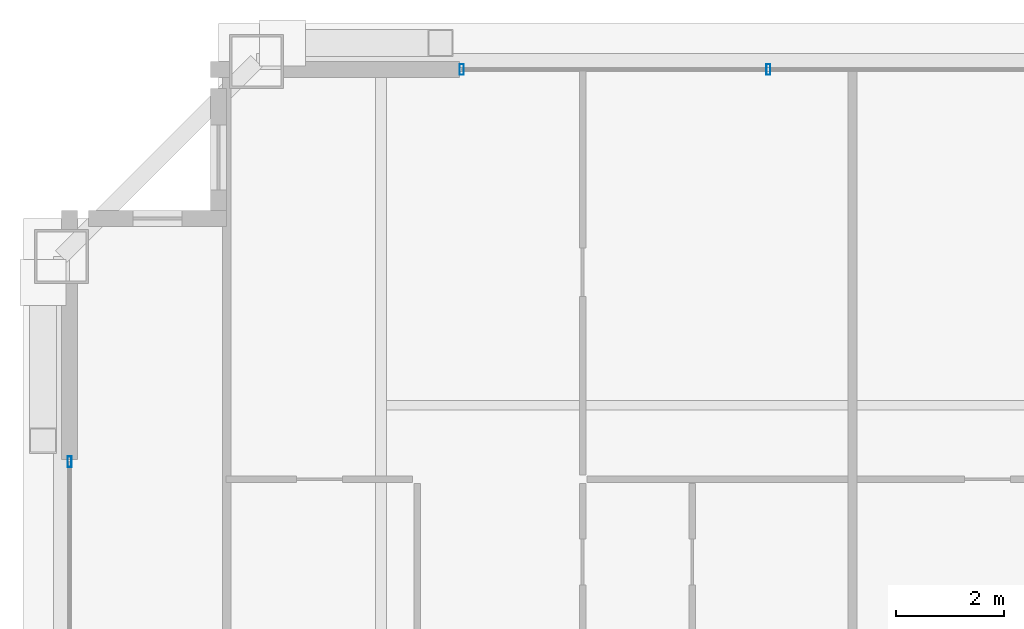
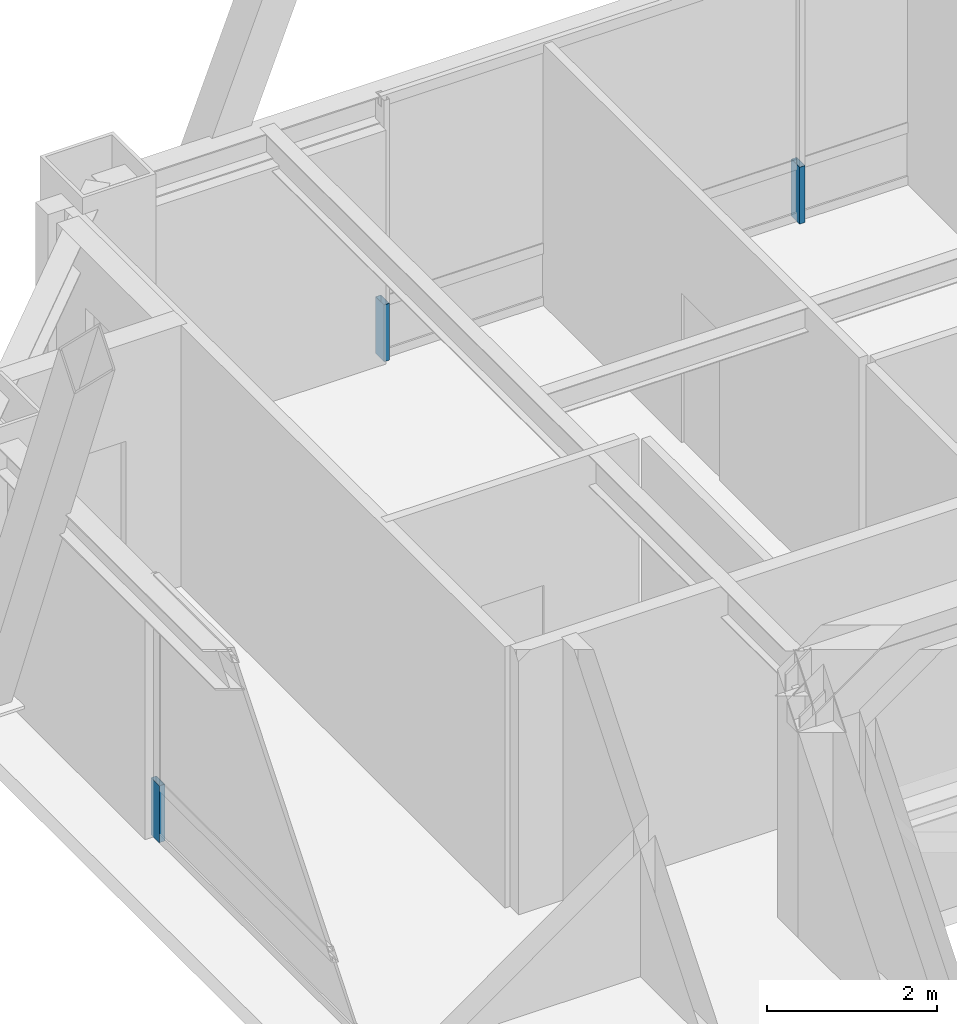
# One storey, part 26 of 35: 3 members, 2 elements without a shape of their own.
"""IFC4 building model written with IfcOpenShell, lengths in metres."""

import ifcopenshell
import ifcopenshell.guid

model = None  # the IFC model being written
_history = None  # IfcOwnerHistory: only IFC2X3 demands one
_inside = {}  # id of a spatial element -> (the spatial element, [elements in it])
_under = {}  # id of a project, library or spatial element -> (it, [spatial elements below it])
_declared = {}  # id of a project -> (the project, [libraries it declares])
_typed = {}  # id of a type object -> (the type object, [elements of that type])
_made_of = {}  # id of a material, layer set ... -> (it, [elements and type objects made of it])


def new_model(schema):
    """Start an empty IFC model of exactly this schema.

    Asked for "IFC4X3", IfcOpenShell would pick the latest addendum, in which some entities
    have other attributes; the version numbers below select the first issue.
    IFC2X3 requires an IfcOwnerHistory on every rooted entity: one is made here for all.
    """
    global model, _history
    if schema == "IFC4X3":
        model = ifcopenshell.file(schema_version=(4, 3, 0, 0))
    else:
        model = ifcopenshell.file(schema=schema)
    _inside.clear()
    _under.clear()
    _declared.clear()
    _typed.clear()
    _made_of.clear()
    _history = None
    if model.schema == "IFC2X3":
        org = make("IfcOrganization", Name="unknown")
        user = make(
            "IfcPersonAndOrganization",
            ThePerson=make("IfcPerson", FamilyName="unknown"),
            TheOrganization=org,
        )
        app = make(
            "IfcApplication",
            ApplicationDeveloper=org,
            Version="unknown",
            ApplicationFullName="unknown",
            ApplicationIdentifier="unknown",
        )
        _history = make(
            "IfcOwnerHistory",
            OwningUser=user,
            OwningApplication=app,
            ChangeAction="ADDED",
            CreationDate=0,
        )
    return model


def make(cls, **values):
    """One entity of the class cls with the attributes given. An attribute that is None is left unset."""
    return model.create_entity(
        cls, **{name: value for name, value in values.items() if value is not None}
    )


def rooted(cls, **values):
    """An entity with a GlobalId (a new one), such as an element, a storey or a relation."""
    return make(cls, GlobalId=ifcopenshell.guid.new(), OwnerHistory=_history, **values)


def si_unit(unit_type, name, prefix=None):
    """IfcSIUnit, for example si_unit("LENGTHUNIT", "METRE", prefix="MILLI")."""
    return make("IfcSIUnit", UnitType=unit_type, Prefix=prefix, Name=name)


def assignment(units):
    """IfcUnitAssignment: the units of a project."""
    return None if units is None else make("IfcUnitAssignment", Units=units)


def point(xyz):
    """IfcCartesianPoint."""
    return None if xyz is None else make("IfcCartesianPoint", Coordinates=xyz)


def direction(xyz):
    """IfcDirection."""
    return None if xyz is None else make("IfcDirection", DirectionRatios=xyz)


def frame(location, z_axis=None, x_axis=None):
    """IfcAxis2Placement3D, a coordinate frame: its origin and axes. An axis left out is left unset."""
    return make(
        "IfcAxis2Placement3D",
        Location=point(location),
        Axis=direction(z_axis),
        RefDirection=direction(x_axis),
    )


def frame_2d(location, x_axis=None):
    """IfcAxis2Placement2D, a coordinate frame in the plane: its origin and x axis."""
    return make(
        "IfcAxis2Placement2D", Location=point(location), RefDirection=direction(x_axis)
    )


def origin():
    """The frame at (0, 0, 0) with its axes left unset."""
    return frame((0.0, 0.0, 0.0))


def origin_2d():
    """The frame at (0, 0) in the plane with its x axis left unset."""
    return frame_2d((0.0, 0.0))


def place(relative_to, where):
    """IfcLocalPlacement: puts the frame where relative to a parent placement (None: the world)."""
    return make(
        "IfcLocalPlacement", PlacementRelTo=relative_to, RelativePlacement=where
    )


def context(
    kind, dimensions, precision=None, world=None, true_north=None, identifier=None
):
    """IfcGeometricRepresentationContext, for example the 3D "Model" context."""
    return make(
        "IfcGeometricRepresentationContext",
        ContextIdentifier=identifier,
        ContextType=kind,
        CoordinateSpaceDimension=dimensions,
        Precision=precision,
        WorldCoordinateSystem=world,
        TrueNorth=true_north,
    )


def subcontext(parent, identifier, kind, view, scale=None):
    """IfcGeometricRepresentationSubContext, for example "Body" below "Model"."""
    return make(
        "IfcGeometricRepresentationSubContext",
        ContextIdentifier=identifier,
        ContextType=kind,
        ParentContext=parent,
        TargetScale=scale,
        TargetView=view,
    )


def project(units=None, contexts=None):
    """IfcProject with its units and contexts."""
    return rooted(
        "IfcProject",
        Name="project",
        RepresentationContexts=contexts,
        UnitsInContext=assignment(units),
    )


def spatial(cls, under=None, at=None, **own):
    """A site, building, storey or space (cls), placed at a placement, below another one or the project."""
    s = rooted(cls, ObjectPlacement=at, **own)
    if under is not None:
        _under.setdefault(under.id(), (under, []))[1].append(s)
    return s


def profile(cls, at=None, kind="AREA", **sizes):
    """A parametric profile (cls). Its sizes go by their IFC names, for example OverallWidth=200.0."""
    return make(cls, ProfileType=kind, Position=at, **sizes)


def hollow_rectangle(**sizes):
    """IfcRectangleHollowProfileDef."""
    return profile("IfcRectangleHollowProfileDef", **sizes)


def extrude(swept, where, along, depth):
    """IfcExtrudedAreaSolid: the profile swept, set in the frame where, extruded along a direction by depth."""
    return make(
        "IfcExtrudedAreaSolid",
        SweptArea=swept,
        Position=where,
        ExtrudedDirection=direction(along),
        Depth=depth,
    )


def shape(context_of_items, identifier, shape_type, items):
    """IfcShapeRepresentation: the items that make up one representation, for example the "Body"."""
    return make(
        "IfcShapeRepresentation",
        ContextOfItems=context_of_items,
        RepresentationIdentifier=identifier,
        RepresentationType=shape_type,
        Items=items,
    )


def source(mapping_origin, context_of_items, identifier, shape_type, items):
    """IfcRepresentationMap: a shape defined once, which mapped items show again and again."""
    return make(
        "IfcRepresentationMap",
        MappingOrigin=mapping_origin,
        MappedRepresentation=shape(context_of_items, identifier, shape_type, items),
    )


def transform(
    local_origin,
    x_axis=None,
    y_axis=None,
    z_axis=None,
    scale=None,
    scale2=None,
    scale3=None,
    uniform=True,
):
    """IfcCartesianTransformationOperator3D, or its non-uniform kind. x_axis, y_axis, z_axis: its Axis1, 2, 3."""
    if uniform:
        return make(
            "IfcCartesianTransformationOperator3D",
            Axis1=direction(x_axis),
            Axis2=direction(y_axis),
            LocalOrigin=point(local_origin),
            Scale=scale,
            Axis3=direction(z_axis),
        )
    return make(
        "IfcCartesianTransformationOperator3DnonUniform",
        Axis1=direction(x_axis),
        Axis2=direction(y_axis),
        LocalOrigin=point(local_origin),
        Scale=scale,
        Axis3=direction(z_axis),
        Scale2=scale2,
        Scale3=scale3,
    )


def mapped(mapping_source, mapping_target):
    """IfcMappedItem: shows the shape of a source again, moved by a transform."""
    return make(
        "IfcMappedItem", MappingSource=mapping_source, MappingTarget=mapping_target
    )


def material(Name=None, Category=None):
    """IfcMaterial."""
    return make("IfcMaterial", Name=Name, Category=Category)


def layer(
    of_material, thickness, ventilated=None, Name=None, Category=None, Priority=None
):
    """IfcMaterialLayer: one layer of a wall or slab, of a material (None: an air gap)."""
    return make(
        "IfcMaterialLayer",
        Material=of_material,
        LayerThickness=thickness,
        IsVentilated=ventilated,
        Name=Name,
        Category=Category,
        Priority=Priority,
    )


def layer_set(layers, Name=None):
    """IfcMaterialLayerSet."""
    return make("IfcMaterialLayerSet", MaterialLayers=layers, LayerSetName=Name)


def material_profile(
    of_material, cross_section, Name=None, Category=None, Priority=None
):
    """IfcMaterialProfile: a cross section and its material."""
    return make(
        "IfcMaterialProfile",
        Name=Name,
        Material=of_material,
        Profile=cross_section,
        Priority=Priority,
        Category=Category,
    )


def profile_set(profiles, Name=None, composite=None):
    """IfcMaterialProfileSet."""
    return make(
        "IfcMaterialProfileSet",
        Name=Name,
        MaterialProfiles=profiles,
        CompositeProfile=composite,
    )


def made_of(thing, what):
    """Note that an element or type object is made of a material, layer set ...; save() writes the relation."""
    if what is not None:
        _made_of.setdefault(what.id(), (what, []))[1].append(thing)
    return thing


def type_object(cls, material=None, **own):
    """A type object (cls), such as IfcWallType, which elements share."""
    return made_of(rooted(cls, **own), material)


def element(
    cls,
    number,
    at=None,
    inside=None,
    cuts=None,
    type_object=None,
    material=None,
    context=None,
    identifier="Body",
    shape_type=None,
    held_by="IfcProductDefinitionShape",
    body=None,
    shapes=None,
    **own,
):
    """One element of the class cls, such as IfcWall. Its Tag is "e" and its number.

    at: its placement. inside: the storey or other place that contains it. cuts: it is an
    opening in that element (IfcRelVoidsElement). A single representation is given by context,
    identifier, shape_type and body (its items); several are given by shapes. held_by: the class
    of the entity that holds the representations. save() writes the other relations.
    """
    e = rooted(cls, Tag="e%d" % number, ObjectPlacement=at, **own)
    if body is not None:
        shapes = [shape(context, identifier, shape_type, body)]
    if shapes is not None:
        e.Representation = make(held_by, Representations=shapes)
    if inside is not None:
        _inside.setdefault(inside.id(), (inside, []))[1].append(e)
    if cuts is not None:
        rooted(
            "IfcRelVoidsElement", RelatingBuildingElement=cuts, RelatedOpeningElement=e
        )
    if type_object is not None:
        _typed.setdefault(type_object.id(), (type_object, []))[1].append(e)
    return made_of(e, material)


def aggregate(whole, parts):
    """IfcRelAggregates: a whole, such as a stair, and the parts it consists of."""
    return rooted("IfcRelAggregates", RelatingObject=whole, RelatedObjects=parts)


def save(model, path):
    """Write the relations noted so far, then the file.

    IfcRelAggregates (storeys below a building ...), IfcRelContainedInSpatialStructure (elements
    in a storey), IfcRelDefinesByType, IfcRelAssociatesMaterial and IfcRelDeclares: one each for
    every whole, place, type object, material and project.
    """
    for whole, parts in _under.values():
        aggregate(whole, parts)
    for where, things in _inside.values():
        rooted(
            "IfcRelContainedInSpatialStructure",
            RelatedElements=things,
            RelatingStructure=where,
        )
    for kind, things in _typed.values():
        rooted("IfcRelDefinesByType", RelatedObjects=things, RelatingType=kind)
    for what, things in _made_of.values():
        rooted("IfcRelAssociatesMaterial", RelatedObjects=things, RelatingMaterial=what)
    for by, libraries in _declared.values():
        rooted("IfcRelDeclares", RelatingContext=by, RelatedDefinitions=libraries)
    model.write(path)


model = new_model("IFC4")

# Units and contexts
model_context = context("Model", 3, precision=1e-05, world=origin(), true_north=direction((0.0, 1.0)))
body_context = subcontext(model_context, "Body", "Model", "MODEL_VIEW")
ifc_project = project(units=[si_unit("LENGTHUNIT", "METRE"), si_unit("AREAUNIT", "SQUARE_METRE"), si_unit("VOLUMEUNIT", "CUBIC_METRE"), si_unit("PLANEANGLEUNIT", "RADIAN"), si_unit("MASSUNIT", "GRAM", prefix="KILO"), si_unit("THERMODYNAMICTEMPERATUREUNIT", "KELVIN"), si_unit("POWERUNIT", "WATT")], contexts=[model_context])

# Site, building, storey
site_placement = place(None, origin())
site = spatial("IfcSite", under=ifc_project, at=site_placement, CompositionType="ELEMENT")
building_placement = place(site_placement, origin())
building = spatial("IfcBuilding", under=site, at=building_placement, Name="Yuzanri Waterfront Tower", CompositionType="ELEMENT")
storey_placement = place(building_placement, frame((0.0, 0.0, 343.199951171875)))
storey = spatial("IfcBuildingStorey", under=building, at=storey_placement, Name="L92", CompositionType="ELEMENT", Elevation=343.199951171875)

# Curtain wall, members
ifc_material_1 = material(Name="Anodized Architectural Bronze", Category="metal")
ifc_layer = layer(ifc_material_1, 0.159912109375)
ifc_layer_set = layer_set([ifc_layer], Name="Anodized Architectural Bronze")
curtain_wall_type = type_object("IfcCurtainWallType", Name="Anodized Bronze High-Rise Penthouse High-Wind Unitized Curtain Wall 6900", PredefinedType="NOTDEFINED", material=ifc_layer_set)
curtain_wall_1_placement = place(storey_placement, origin())
curtain_wall_1 = element("IfcCurtainWall", 1, at=curtain_wall_1_placement, inside=storey, type_object=curtain_wall_type, Name="L92 Curtain Wall CW-L92-NL", PredefinedType="NOTDEFINED")
ifc_material_2 = material(Name="Anodized Architectural Bronze", Category="metal")
ifc_material_profile = material_profile(ifc_material_2, hollow_rectangle(XDim=0.074951171875, YDim=0.199951171875, WallThickness=0.00390625, at=origin_2d()), Name="CWM 75x200")
ifc_profile_set = profile_set([ifc_material_profile], Name="Anodized Architectural Bronze")
member_type = type_object("IfcMemberType", Name="Anodized Bronze Primary Curtain-Wall Mullion 75x200", PredefinedType="MULLION", material=ifc_profile_set)
shared_shape = source(origin(), body_context, "Body", "SweptSolid", [
    extrude(hollow_rectangle(XDim=0.074951171875, YDim=0.199951171875, WallThickness=0.00390625, at=origin_2d()), origin(), (0.0, 0.0, 1.0), 0.818115234375),
])
member_1_placement = place(storey_placement, frame((25.2900390625, 44.75, 0.0), z_axis=(0.0, 0.0, 1.0), x_axis=(1.0, 0.0, 0.0)))
member_1 = element("IfcMember", 2, at=member_1_placement, type_object=member_type, Name="CW-L92-NL Lower Mullion 00", PredefinedType="MULLION", context=body_context, shape_type="MappedRepresentation", body=[
    mapped(shared_shape, transform((0.0, 0.0, 0.0), scale=1.0)),
])
member_2_placement = place(storey_placement, frame((30.949951171875, 44.75, 0.0), z_axis=(0.0, 0.0, 1.0), x_axis=(1.0, 0.0, 0.0)))
member_2 = element("IfcMember", 3, at=member_2_placement, type_object=member_type, Name="CW-L92-NL Lower Mullion 01", PredefinedType="MULLION", context=body_context, shape_type="MappedRepresentation", body=[
    mapped(shared_shape, transform((0.0, 0.0, 0.0), scale=1.0)),
])
aggregate(curtain_wall_1, [member_1, member_2])

# Curtain wall, member
curtain_wall_2_placement = place(storey_placement, origin())
curtain_wall_2 = element("IfcCurtainWall", 4, at=curtain_wall_2_placement, inside=storey, type_object=curtain_wall_type, Name="L92 Curtain Wall CW-L92-WR", PredefinedType="NOTDEFINED")
member_3_placement = place(storey_placement, frame((18.050048828125, 37.510009765625, 0.0), z_axis=(0.0, 0.0, 1.0), x_axis=(1.0, 0.0, 0.0)))
member_3 = element("IfcMember", 5, at=member_3_placement, type_object=member_type, Name="CW-L92-WR Lower Mullion 02", PredefinedType="MULLION", context=body_context, shape_type="MappedRepresentation", body=[
    mapped(shared_shape, transform((0.0, 0.0, 0.0), scale=1.0)),
])
aggregate(curtain_wall_2, [member_3])

save(model, "model.ifc")
